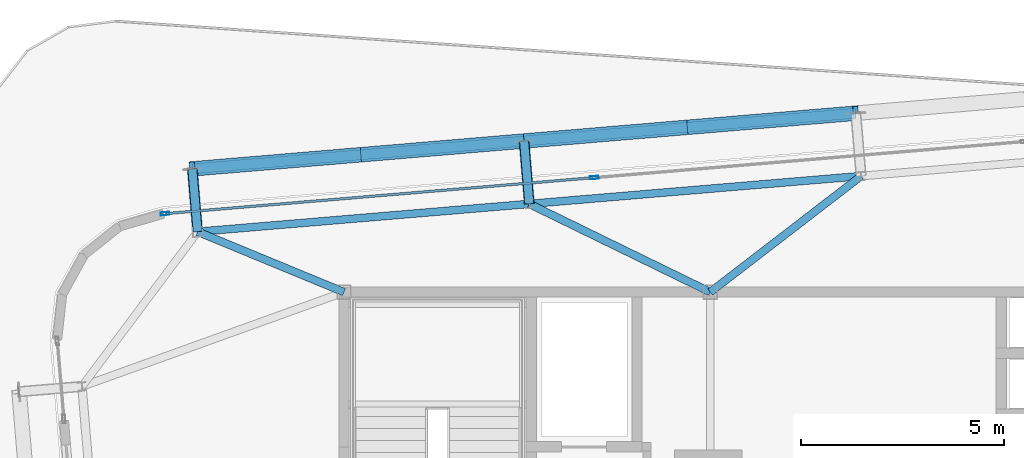
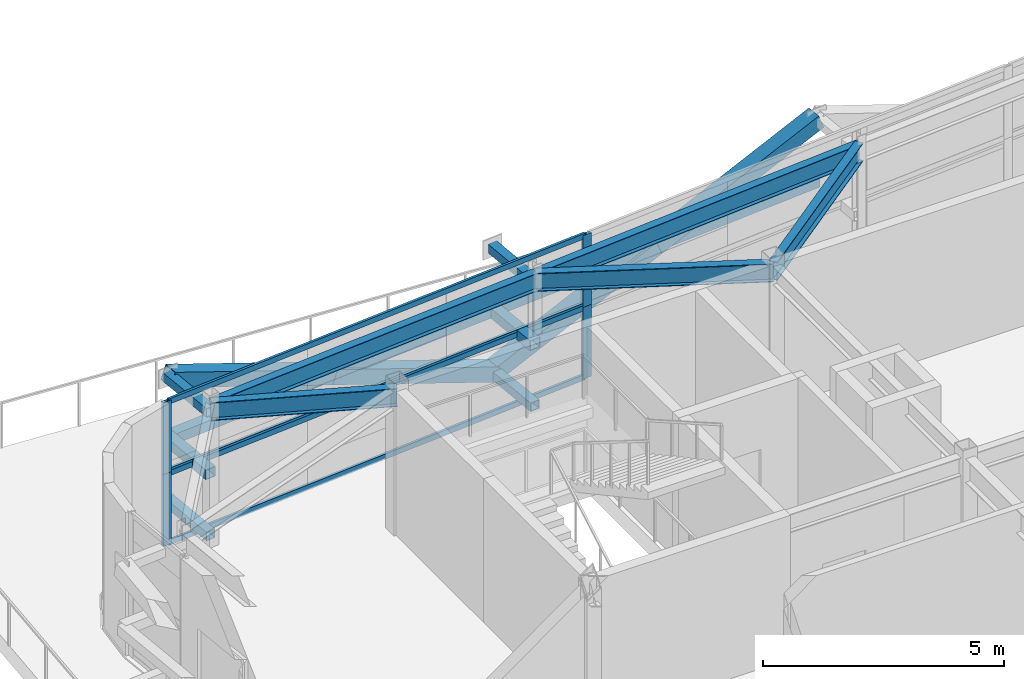
# One storey, part 19 of 38: 20 members, 5 beams, 2 elements without a shape of their own.
"""IFC4 building model written with IfcOpenShell, lengths in metres."""

from ifc_helpers import new_model, si_unit, direction, frame, origin, origin_2d, place, context, subcontext, project, spatial, hollow_rectangle, i_section, extrude, source, transform, mapped, material, layer, layer_set, material_profile, profile_set, type_object, element, aggregate, save


model = new_model("IFC4")

# Units and contexts
model_context = context("Model", 3, precision=1e-05, world=origin(), true_north=direction((0.0, 1.0)))
body_context = subcontext(model_context, "Body", "Model", "MODEL_VIEW")
ifc_project = project(units=[si_unit("LENGTHUNIT", "METRE"), si_unit("AREAUNIT", "SQUARE_METRE"), si_unit("VOLUMEUNIT", "CUBIC_METRE"), si_unit("PLANEANGLEUNIT", "RADIAN"), si_unit("MASSUNIT", "GRAM", prefix="KILO")], contexts=[model_context])

# Site, building, storey
site_placement = place(None, origin())
site = spatial("IfcSite", under=ifc_project, at=site_placement, CompositionType="ELEMENT")
building_placement = place(site_placement, origin())
building = spatial("IfcBuilding", under=site, at=building_placement, Name="Taldren Reach Tower", CompositionType="ELEMENT")
storey_placement = place(building_placement, frame((0.0, 0.0, 168.699951171875)))
storey = spatial("IfcBuildingStorey", under=building, at=storey_placement, Name="L51", CompositionType="ELEMENT", Elevation=168.699951171875)

# Members
ifc_material_1 = material(Name="Steel Gr 350 (C350L0)", Category="steel")
ifc_material_profile_1 = material_profile(ifc_material_1, hollow_rectangle(XDim=0.25, YDim=0.25, WallThickness=0.010009765625, at=origin_2d()), Name="250x250x10.0SHS")
ifc_profile_set_1 = profile_set([ifc_material_profile_1], Name="Steel Gr 350 (C350L0)")
member_type_1 = type_object("IfcMemberType", Name="MB-POST250", PredefinedType="POST", material=ifc_profile_set_1)
shared_shape_1 = source(origin(), body_context, "Body", "SweptSolid", [
    extrude(hollow_rectangle(XDim=0.25, YDim=0.25, WallThickness=0.010009765625, at=origin_2d()), origin(), (0.0, 0.0, 1.0), 1.5498046875),
])
member_1_placement = place(storey_placement, frame((15.40380859375, 33.483642578125, 1.78515625), z_axis=(-0.083645141657, 0.996495604746, 0.0), x_axis=(-0.996495604746, -0.083645141657, 0.0)))
element("IfcMember", 1, at=member_1_placement, inside=storey, type_object=member_type_1, Name="Exoskeleton mid-tier diaphragm tie B4-N1 L51", PredefinedType="POST", context=body_context, shape_type="MappedRepresentation", body=[
    mapped(shared_shape_1, transform((0.0, 0.0, 0.0), scale=1.0)),
])
shared_shape_2 = source(origin(), body_context, "Body", "SweptSolid", [
    extrude(hollow_rectangle(XDim=0.25, YDim=0.25, WallThickness=0.010009765625, at=origin_2d()), origin(), (0.0, 0.0, 1.0), 1.550048828125),
])
member_2_placement = place(storey_placement, frame((23.55517578125, 34.16796875, 1.78515625), z_axis=(-0.083788408178, 0.996483568683, 0.0), x_axis=(-0.996483568683, -0.083788408178, 0.0)))
element("IfcMember", 2, at=member_2_placement, inside=storey, type_object=member_type_1, Name="Exoskeleton mid-tier diaphragm tie B4-N2 L51", PredefinedType="POST", context=body_context, shape_type="MappedRepresentation", body=[
    mapped(shared_shape_2, transform((0.0, 0.0, 0.0), scale=1.0)),
])

# Beams
ifc_material_2 = material(Name="Steel Gr 350 (350PLUS)", Category="steel")
ifc_material_profile_2 = material_profile(ifc_material_2, i_section(OverallWidth=0.18994140625, OverallDepth=0.4541015625, WebThickness=0.008544921875, FlangeThickness=0.0126953125, at=origin_2d()), Name="460UB67.1")
ifc_profile_set_2 = profile_set([ifc_material_profile_2], Name="Steel Gr 350 (350PLUS)")
beam_type_1 = type_object("IfcBeamType", Name="SP-UB460B", PredefinedType="SPANDREL", material=ifc_profile_set_2)
shared_shape_3 = source(origin(), body_context, "Body", "SweptSolid", [
    extrude(i_section(OverallWidth=0.18994140625, OverallDepth=0.4541015625, WebThickness=0.008544921875, FlangeThickness=0.0126953125, at=origin_2d()), origin(), (0.0, 0.0, 1.0), 8.179931640625),
])
for number, where, z_axis, x_axis, name in (
    (3, (31.706298828125, 34.8525390625, 3.403076171875), (-0.99649182565, -0.08369015123, 0.0), (0.08369015123, -0.99649182565, 0.0), "Perimeter spandrel B4 N3-N2 L51"),
    (4, (23.55517578125, 34.16796875, 3.403076171875), (-0.996494523218, -0.083658025296, 0.0), (0.083658025296, -0.996494523218, 0.0), "Perimeter spandrel B4 N2-N1 L51"),
):
    element("IfcBeam", number, at=place(storey_placement, frame(where, z_axis=z_axis, x_axis=x_axis)), inside=storey, type_object=beam_type_1, Name=name, PredefinedType="SPANDREL", context=body_context, shape_type="MappedRepresentation", body=[
        mapped(shared_shape_3, transform((0.0, 0.0, 0.0), scale=1.0)),
    ])
ifc_material_profile_3 = material_profile(ifc_material_2, i_section(OverallWidth=0.19091796875, OverallDepth=0.4599609375, WebThickness=0.010009765625, FlangeThickness=0.01611328125, at=origin_2d()), Name="460UB82.1")
ifc_profile_set_3 = profile_set([ifc_material_profile_3], Name="Steel Gr 350 (350PLUS)")
beam_type_2 = type_object("IfcBeamType", Name="BM-UB460A", PredefinedType="BEAM", material=ifc_profile_set_3)
shared_shape_4 = source(origin(), body_context, "Body", "SweptSolid", [
    extrude(i_section(OverallWidth=0.19091796875, OverallDepth=0.4599609375, WebThickness=0.010009765625, FlangeThickness=0.01611328125, at=origin_2d()), origin(), (0.0, 0.0, 1.0), 4.677001953125),
])
beam_1_placement = place(storey_placement, frame((28.0, 32.0, 3.400146484375), z_axis=(0.792464836093, 0.609917603907, 0.0), x_axis=(-0.609917603907, 0.792464836093, 0.0)))
element("IfcBeam", 5, at=beam_1_placement, inside=storey, type_object=beam_type_2, Name="Primary floor girder B4-N3 L51", PredefinedType="BEAM", context=body_context, shape_type="MappedRepresentation", body=[
    mapped(shared_shape_4, transform((0.0, 0.0, 0.0), scale=1.0)),
])
shared_shape_5 = source(origin(), body_context, "Body", "SweptSolid", [
    extrude(i_section(OverallWidth=0.19091796875, OverallDepth=0.4599609375, WebThickness=0.010009765625, FlangeThickness=0.01611328125, at=origin_2d()), origin(), (0.0, 0.0, 1.0), 4.9453125),
])
beam_2_placement = place(storey_placement, frame((28.0, 32.0, 3.400146484375), z_axis=(-0.898787423235, 0.438384725823, 0.0), x_axis=(-0.438384725823, -0.898787423235, 0.0)))
element("IfcBeam", 6, at=beam_2_placement, inside=storey, type_object=beam_type_2, Name="Primary floor girder B4-N2 L51", PredefinedType="BEAM", context=body_context, shape_type="MappedRepresentation", body=[
    mapped(shared_shape_5, transform((0.0, 0.0, 0.0), scale=1.0)),
])
shared_shape_6 = source(origin(), body_context, "Body", "SweptSolid", [
    extrude(i_section(OverallWidth=0.19091796875, OverallDepth=0.4599609375, WebThickness=0.010009765625, FlangeThickness=0.01611328125, at=origin_2d()), origin(), (0.0, 0.0, 1.0), 3.89013671875),
])
beam_3_placement = place(storey_placement, frame((19.0, 32.0, 3.400146484375), z_axis=(-0.924419242179, 0.381377850287, 0.0), x_axis=(-0.381377850287, -0.924419242179, 0.0)))
element("IfcBeam", 7, at=beam_3_placement, inside=storey, type_object=beam_type_2, Name="Primary floor girder B4-N1 L51", PredefinedType="BEAM", context=body_context, shape_type="MappedRepresentation", body=[
    mapped(shared_shape_6, transform((0.0, 0.0, 0.0), scale=1.0)),
])

# Members
ifc_material_3 = material(Name="Steel Gr 450 (C450L0)", Category="steel")
ifc_material_profile_4 = material_profile(ifc_material_3, hollow_rectangle(XDim=0.219970703125, YDim=0.219970703125, WallThickness=0.00830078125, at=origin_2d()), Name="220x220x8.2SHS")
ifc_profile_set_4 = profile_set([ifc_material_profile_4], Name="Steel Gr 450 (C450L0)")
member_type_2 = type_object("IfcMemberType", Name="MB-TIE219", PredefinedType="STRUT", material=ifc_profile_set_4)
shared_shape_7 = source(origin(), body_context, "Body", "SweptSolid", [
    extrude(hollow_rectangle(XDim=0.219970703125, YDim=0.219970703125, WallThickness=0.00830078125, at=origin_2d()), origin(), (0.0, 0.0, 1.0), 1.5498046875),
])
for number, where, z_axis, x_axis, name in (
    (8, (15.40380859375, 33.483642578125, 3.35009765625), (-0.083645141657, 0.996495604746, 0.0), (-0.996495604746, -0.083645141657, 0.0), "Exoskeleton diaphragm tie strut B4-N1 L51"),
    (9, (15.40380859375, 33.483642578125, 0.219970703125), (-0.083645141657, 0.996495604746, 0.0), (-0.996495604746, -0.083645141657, 0.0), "Exoskeleton base diaphragm tie strut B4-N1 L51"),
):
    element("IfcMember", number, at=place(storey_placement, frame(where, z_axis=z_axis, x_axis=x_axis)), inside=storey, type_object=member_type_2, Name=name, PredefinedType="STRUT", context=body_context, shape_type="MappedRepresentation", body=[
        mapped(shared_shape_7, transform((0.0, 0.0, 0.0), scale=1.0)),
    ])
shared_shape_8 = source(origin(), body_context, "Body", "SweptSolid", [
    extrude(hollow_rectangle(XDim=0.219970703125, YDim=0.219970703125, WallThickness=0.00830078125, at=origin_2d()), origin(), (0.0, 0.0, 1.0), 1.550048828125),
])
for number, where, z_axis, x_axis, name in (
    (10, (23.55517578125, 34.16796875, 3.35009765625), (-0.083788408178, 0.996483568683, 0.0), (-0.996483568683, -0.083788408178, 0.0), "Exoskeleton diaphragm tie strut B4-N2 L51"),
    (11, (23.55517578125, 34.16796875, 0.219970703125), (-0.083788408178, 0.996483568683, 0.0), (-0.996483568683, -0.083788408178, 0.0), "Exoskeleton base diaphragm tie strut B4-N2 L51"),
):
    element("IfcMember", number, at=place(storey_placement, frame(where, z_axis=z_axis, x_axis=x_axis)), inside=storey, type_object=member_type_2, Name=name, PredefinedType="STRUT", context=body_context, shape_type="MappedRepresentation", body=[
        mapped(shared_shape_8, transform((0.0, 0.0, 0.0), scale=1.0)),
    ])
ifc_material_profile_5 = material_profile(ifc_material_3, hollow_rectangle(XDim=0.360107421875, YDim=0.360107421875, WallThickness=0.0126953125, at=origin_2d()), Name="360x360x12.7SHS")
ifc_profile_set_5 = profile_set([ifc_material_profile_5], Name="Steel Gr 450 (C450L0)")
member_type_3 = type_object("IfcMemberType", Name="MB-EXO356", PredefinedType="BRACE", material=ifc_profile_set_5)
shared_shape_9 = source(origin(), body_context, "Body", "SweptSolid", [
    extrude(hollow_rectangle(XDim=0.360107421875, YDim=0.360107421875, WallThickness=0.0126953125, at=origin_2d()), origin(), (0.0, 0.0, 1.0), 4.379150390625),
])
for number, where, z_axis, x_axis, name in (
    (12, (23.42529296875, 35.712646484375, 0.219970703125), (-0.930665234781, -0.078164060334, 0.357424957778), (0.083692640416, -0.996491616593, 0.0), "Exoskeleton Diagrid Brace B4-N1 L51"),
    (13, (19.349853515625, 35.370361328125, 1.78515625), (-0.930691240049, -0.078161562151, 0.357357784157), (0.083687662192, -0.996492034688, 0.0), "Exoskeleton Diagrid Brace B4-N1 L51"),
    (14, (27.5009765625, 36.054931640625, 1.78515625), (0.930695294126, 0.078106152334, 0.357359340802), (-0.083628388178, 0.996497010879, 0.0), "Exoskeleton Diagrid Brace B4-N2 L51"),
):
    element("IfcMember", number, at=place(storey_placement, frame(where, z_axis=z_axis, x_axis=x_axis)), inside=storey, type_object=member_type_3, Name=name, PredefinedType="BRACE", context=body_context, shape_type="MappedRepresentation", body=[
        mapped(shared_shape_9, transform((0.0, 0.0, 0.0), scale=1.0)),
    ])
shared_shape_10 = source(origin(), body_context, "Body", "SweptSolid", [
    extrude(hollow_rectangle(XDim=0.360107421875, YDim=0.360107421875, WallThickness=0.0126953125, at=origin_2d()), origin(), (0.0, 0.0, 1.0), 4.37939453125),
])
member_3_placement = place(storey_placement, frame((23.42529296875, 35.712646484375, 0.219970703125), z_axis=(0.930672697263, 0.078160004886, 0.357406413212), x_axis=(-0.083687662192, 0.996492034688, 0.0)))
element("IfcMember", 15, at=member_3_placement, inside=storey, type_object=member_type_3, Name="Exoskeleton Diagrid Brace B4-N2 L51", PredefinedType="BRACE", context=body_context, shape_type="MappedRepresentation", body=[
    mapped(shared_shape_10, transform((0.0, 0.0, 0.0), scale=1.0)),
])
shared_shape_11 = source(origin(), body_context, "Body", "SweptSolid", [
    extrude(hollow_rectangle(XDim=0.25, YDim=0.25, WallThickness=0.010009765625, at=origin_2d()), origin(), (0.0, 0.0, 1.0), 8.179931640625),
])
for number, where, z_axis, x_axis, name in (
    (16, (15.274169921875, 35.028076171875, 1.78515625), (0.99649182565, 0.08369015123, 0.0), (-0.08369015123, 0.99649182565, 0.0), "Exoskeleton mid-height ring chord B4-N1 L51"),
    (17, (23.42529296875, 35.712646484375, 1.78515625), (0.996494523218, 0.083658025296, 0.0), (-0.083658025296, 0.996494523218, 0.0), "Exoskeleton mid-height ring chord B4-N2 L51"),
):
    element("IfcMember", number, at=place(storey_placement, frame(where, z_axis=z_axis, x_axis=x_axis)), inside=storey, type_object=member_type_1, Name=name, PredefinedType="POST", context=body_context, shape_type="MappedRepresentation", body=[
        mapped(shared_shape_11, transform((0.0, 0.0, 0.0), scale=1.0)),
    ])

# Curtain wall, members
ifc_material_4 = material(Name="Aluminium and Low-E Glass Unitised System", Category="aluminium")
ifc_layer = layer(ifc_material_4, 0.159912109375)
ifc_layer_set = layer_set([ifc_layer], Name="Aluminium and Low-E Glass Unitised System")
curtain_wall_type = type_object("IfcCurtainWallType", Name="CW-SYS-7", PredefinedType="NOTDEFINED", material=ifc_layer_set)
curtain_wall_1_placement = place(storey_placement, origin())
curtain_wall_1 = element("IfcCurtainWall", 18, at=curtain_wall_1_placement, inside=storey, type_object=curtain_wall_type, Name="Unitised curtain wall CW-L51-N", PredefinedType="NOTDEFINED")
ifc_material_5 = material(Name="Anodised Aluminium 6063-T6", Category="aluminium")
ifc_material_profile_6 = material_profile(ifc_material_5, hollow_rectangle(XDim=0.074951171875, YDim=0.2099609375, WallThickness=0.00439453125, at=origin_2d()), Name="ALU-210x75x4.5RHS")
ifc_profile_set_6 = profile_set([ifc_material_profile_6], Name="Anodised Aluminium 6063-T6")
member_type_4 = type_object("IfcMemberType", Name="CW-MUL-200", PredefinedType="MULLION", material=ifc_profile_set_6)
shared_shape_12 = source(origin(), body_context, "Body", "SweptSolid", [
    extrude(hollow_rectangle(XDim=0.074951171875, YDim=0.2099609375, WallThickness=0.00439453125, at=origin_2d()), origin(), (0.0, 0.0, 1.0), 1.81494140625),
])
member_4_placement = place(storey_placement, frame((25.151611328125, 34.81396484375, 0.0), z_axis=(0.0, 0.0, 1.0), x_axis=(0.083677875247, -0.99649285657, 0.0)))
member_4 = element("IfcMember", 19, at=member_4_placement, type_object=member_type_4, Name="CW-7 mullion 4", PredefinedType="MULLION", context=body_context, shape_type="MappedRepresentation", body=[
    mapped(shared_shape_12, transform((0.0, 0.0, 0.0), scale=1.0)),
])
member_5_placement = place(storey_placement, frame((14.601318359375, 33.927978515625, 0.0), z_axis=(0.0, 0.0, 1.0), x_axis=(0.083677875247, -0.99649285657, 0.0)))
member_5 = element("IfcMember", 20, at=member_5_placement, type_object=member_type_4, Name="CW-7 mullion 5", PredefinedType="MULLION", context=body_context, shape_type="MappedRepresentation", body=[
    mapped(shared_shape_12, transform((0.0, 0.0, 0.0), scale=1.0)),
])

curtain_wall_2_placement = place(storey_placement, origin())
curtain_wall_2 = element("IfcCurtainWall", 21, at=curtain_wall_2_placement, inside=storey, type_object=curtain_wall_type, Name="Unitised curtain wall CW-L51-N-T2", PredefinedType="NOTDEFINED")
shared_shape_13 = source(origin(), body_context, "Body", "SweptSolid", [
    extrude(hollow_rectangle(XDim=0.074951171875, YDim=0.2099609375, WallThickness=0.00439453125, at=origin_2d()), origin(), (0.0, 0.0, 1.0), 1.815185546875),
])
member_6_placement = place(storey_placement, frame((25.151611328125, 34.81396484375, 1.81494140625), z_axis=(0.0, 0.0, 1.0), x_axis=(0.083677875247, -0.99649285657, 0.0)))
member_6 = element("IfcMember", 22, at=member_6_placement, type_object=member_type_4, Name="CW-7 mullion 4", PredefinedType="MULLION", context=body_context, shape_type="MappedRepresentation", body=[
    mapped(shared_shape_13, transform((0.0, 0.0, 0.0), scale=1.0)),
])
member_7_placement = place(storey_placement, frame((14.601318359375, 33.927978515625, 1.81494140625), z_axis=(0.0, 0.0, 1.0), x_axis=(0.083677875247, -0.99649285657, 0.0)))
member_7 = element("IfcMember", 23, at=member_7_placement, type_object=member_type_4, Name="CW-7 mullion 5", PredefinedType="MULLION", context=body_context, shape_type="MappedRepresentation", body=[
    mapped(shared_shape_13, transform((0.0, 0.0, 0.0), scale=1.0)),
])

# Member
ifc_material_profile_7 = material_profile(ifc_material_5, hollow_rectangle(XDim=0.06005859375, YDim=0.135009765625, WallThickness=0.00341796875, at=origin_2d()), Name="ALU-135x60x3.5RHS")
ifc_profile_set_7 = profile_set([ifc_material_profile_7], Name="Anodised Aluminium 6063-T6")
member_type_5 = type_object("IfcMemberType", Name="CW-TRN-150", PredefinedType="USERDEFINED", material=ifc_profile_set_7)
shared_shape_14 = source(origin(), body_context, "Body", "SweptSolid", [
    extrude(hollow_rectangle(XDim=0.06005859375, YDim=0.135009765625, WallThickness=0.00341796875, at=origin_2d()), origin(), (0.0, 0.0, 1.0), 10.512451171875),
])
member_8_placement = place(storey_placement, frame((25.1142578125, 34.810791015625, 0.030029296875), z_axis=(-0.996493024683, -0.083675873216, 0.0), x_axis=(0.083675873216, -0.996493024683, 0.0)))
member_8 = element("IfcMember", 24, at=member_8_placement, type_object=member_type_5, Name="CW-7 transom 4.1", ObjectType="TRANSOM", PredefinedType="USERDEFINED", context=body_context, shape_type="MappedRepresentation", body=[
    mapped(shared_shape_14, transform((0.0, 0.0, 0.0), scale=1.0)),
])

member_9_placement = place(storey_placement, frame((25.1142578125, 34.810791015625, 1.78515625), z_axis=(-0.996493024683, -0.083675873216, 0.0), x_axis=(0.083675873216, -0.996493024683, 0.0)))
member_9 = element("IfcMember", 25, at=member_9_placement, type_object=member_type_5, Name="CW-7 transom 4.2", ObjectType="TRANSOM", PredefinedType="USERDEFINED", context=body_context, shape_type="MappedRepresentation", body=[
    mapped(shared_shape_14, transform((0.0, 0.0, 0.0), scale=1.0)),
])

aggregate(curtain_wall_1, [member_4, member_5, member_8, member_9])

member_10_placement = place(storey_placement, frame((25.1142578125, 34.810791015625, 1.844970703125), z_axis=(-0.996493024683, -0.083675873216, 0.0), x_axis=(0.083675873216, -0.996493024683, 0.0)))
member_10 = element("IfcMember", 26, at=member_10_placement, type_object=member_type_5, Name="CW-7 transom 4.1", ObjectType="TRANSOM", PredefinedType="USERDEFINED", context=body_context, shape_type="MappedRepresentation", body=[
    mapped(shared_shape_14, transform((0.0, 0.0, 0.0), scale=1.0)),
])

member_11_placement = place(storey_placement, frame((25.1142578125, 34.810791015625, 3.60009765625), z_axis=(-0.996493024683, -0.083675873216, 0.0), x_axis=(0.083675873216, -0.996493024683, 0.0)))
member_11 = element("IfcMember", 27, at=member_11_placement, type_object=member_type_5, Name="CW-7 transom 4.2", ObjectType="TRANSOM", PredefinedType="USERDEFINED", context=body_context, shape_type="MappedRepresentation", body=[
    mapped(shared_shape_14, transform((0.0, 0.0, 0.0), scale=1.0)),
])

aggregate(curtain_wall_2, [member_6, member_7, member_10, member_11])

save(model, "model.ifc")
